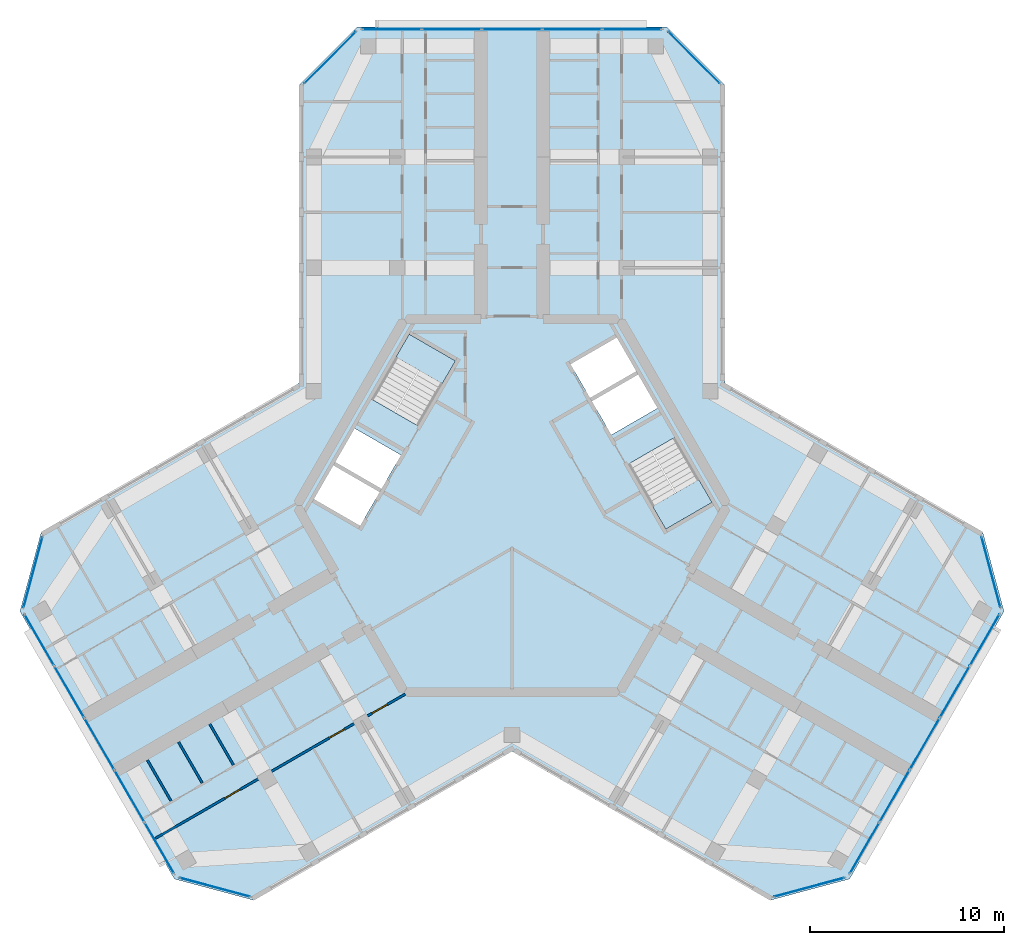
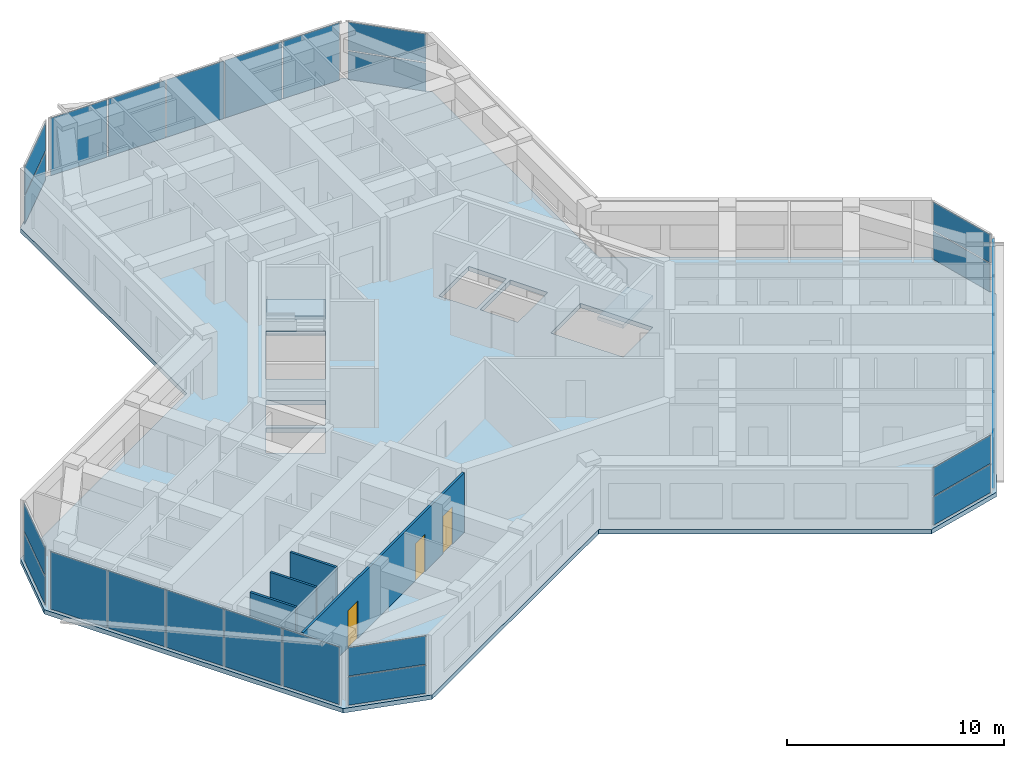
# One storey, part 6 of 14: 27 plates, 4 walls, 3 doors, 3 slabs, 3 openings, 11 elements without a shape of their own.
"""IFC4 building model written with IfcOpenShell, lengths in metres."""

from ifc_helpers import new_model, si_unit, direction, frame, frame_2d, origin, origin_2d, place, context, subcontext, project, spatial, polyline, rectangle, outline, extrude, material, layer, layer_set, type_object, element, fill, aggregate, save


model = new_model("IFC4")

# Units and contexts
model_context = context("Model", 3, precision=1e-05, world=origin(), true_north=direction((0.0, 1.0)))
body_context = subcontext(model_context, "Body", "Model", "MODEL_VIEW")
ifc_project = project(units=[si_unit("LENGTHUNIT", "METRE"), si_unit("AREAUNIT", "SQUARE_METRE"), si_unit("VOLUMEUNIT", "CUBIC_METRE"), si_unit("PLANEANGLEUNIT", "RADIAN"), si_unit("MASSUNIT", "GRAM", prefix="KILO")], contexts=[model_context])

# Site, building, storey
site_placement = place(None, origin())
site = spatial("IfcSite", under=ifc_project, at=site_placement, CompositionType="ELEMENT")
building_placement = place(site_placement, origin())
building = spatial("IfcBuilding", under=site, at=building_placement, Name="Kosmar Iwan School Tower", CompositionType="ELEMENT")
storey_placement = place(building_placement, frame((0.0, 0.0, 285.39990234375)))
storey = spatial("IfcBuildingStorey", under=building, at=storey_placement, Name="L72", CompositionType="ELEMENT", Elevation=285.39990234375)

# Curtain wall, plates
ifc_material_1 = material(Name="Dark glass in black aluminium frame", Category="aluminium")
curtain_wall_type_1 = type_object("IfcCurtainWallType", Name="Chamfer curtain wall dark glass", PredefinedType="USERDEFINED", material=ifc_material_1)
curtain_wall_1_placement = place(storey_placement, origin())
curtain_wall_1 = element("IfcCurtainWall", 1, at=curtain_wall_1_placement, inside=storey, type_object=curtain_wall_type_1, Name="Curtain wall L72-F02", ObjectType="FACETED CURTAIN WALL", PredefinedType="USERDEFINED")
ifc_material_2 = material(Name="Dark glass", Category="glass")
ifc_layer_1 = layer(ifc_material_2, 0.028076171875)
ifc_layer_set_1 = layer_set([ifc_layer_1], Name="Dark glass panel 28")
plate_type = type_object("IfcPlateType", Name="Dark glass panel 28", PredefinedType="CURTAIN_PANEL", material=ifc_layer_set_1)
plate_1_placement = place(storey_placement, frame((15.291015625, -19.63818359375, 0.06005859375), z_axis=(0.0, 0.0, 1.0), x_axis=(0.965925875495, 0.258818861462, 0.0)))
plate_1 = element("IfcPlate", 2, at=plate_1_placement, type_object=plate_type, Name="CW2 panel 1.1", PredefinedType="CURTAIN_PANEL", context=body_context, shape_type="SweptSolid", body=[
    extrude(rectangle(XDim=3.718994140625, YDim=0.028076171875, at=origin_2d()), origin(), (0.0, 0.0, 1.0), 1.5849609375),
])
plate_2_placement = place(storey_placement, frame((15.291015625, -19.63818359375, 1.705078125), z_axis=(0.0, 0.0, 1.0), x_axis=(0.965925875495, 0.258818861462, 0.0)))
plate_2 = element("IfcPlate", 3, at=plate_2_placement, type_object=plate_type, Name="CW2 panel 1.2", PredefinedType="CURTAIN_PANEL", context=body_context, shape_type="SweptSolid", body=[
    extrude(rectangle(XDim=3.718994140625, YDim=0.028076171875, at=origin_2d()), origin(), (0.0, 0.0, 1.0), 1.5849609375),
])
aggregate(curtain_wall_1, [plate_1, plate_2])

ifc_material_3 = material(Name="Dark glass in black aluminium frame", Category="aluminium")
curtain_wall_type_2 = type_object("IfcCurtainWallType", Name="Tower curtain wall dark glass", PredefinedType="USERDEFINED", material=ifc_material_3)
curtain_wall_2_placement = place(storey_placement, origin())
curtain_wall_2 = element("IfcCurtainWall", 4, at=curtain_wall_2_placement, inside=storey, type_object=curtain_wall_type_2, Name="Curtain wall L72-F03", ObjectType="UNITISED CURTAIN WALL", PredefinedType="USERDEFINED")
plate_3_placement = place(storey_placement, frame((18.1474609375, -17.61767578125, 0.06005859375), z_axis=(0.0, 0.0, 1.0), x_axis=(0.499999997325, 0.866025405329, 0.0)))
plate_3 = element("IfcPlate", 5, at=plate_3_placement, type_object=plate_type, Name="CW1 panel 1.1", PredefinedType="CURTAIN_PANEL", context=body_context, shape_type="SweptSolid", body=[
    extrude(rectangle(XDim=3.00927734375, YDim=0.028076171875, at=origin_2d()), origin(), (0.0, 0.0, 1.0), 3.22998046875),
])
plate_4_placement = place(storey_placement, frame((19.689697265625, -14.946533203125, 0.06005859375), z_axis=(0.0, 0.0, 1.0), x_axis=(0.499999997325, 0.866025405329, 0.0)))
plate_4 = element("IfcPlate", 6, at=plate_4_placement, type_object=plate_type, Name="CW1 panel 2.1", PredefinedType="CURTAIN_PANEL", context=body_context, shape_type="SweptSolid", body=[
    extrude(rectangle(XDim=3.039306640625, YDim=0.028076171875, at=origin_2d()), origin(), (0.0, 0.0, 1.0), 3.22998046875),
])
plate_5_placement = place(storey_placement, frame((21.2392578125, -12.262451171875, 0.06005859375), z_axis=(0.0, 0.0, 1.0), x_axis=(0.499999997325, 0.866025405329, 0.0)))
plate_5 = element("IfcPlate", 7, at=plate_5_placement, type_object=plate_type, Name="CW1 panel 3.1", PredefinedType="CURTAIN_PANEL", context=body_context, shape_type="SweptSolid", body=[
    extrude(rectangle(XDim=3.039306640625, YDim=0.028076171875, at=origin_2d()), origin(), (0.0, 0.0, 1.0), 3.22998046875),
])
plate_6_placement = place(storey_placement, frame((22.788818359375, -9.578369140625, 0.06005859375), z_axis=(0.0, 0.0, 1.0), x_axis=(0.499999997325, 0.866025405329, 0.0)))
plate_6 = element("IfcPlate", 8, at=plate_6_placement, type_object=plate_type, Name="CW1 panel 4.1", PredefinedType="CURTAIN_PANEL", context=body_context, shape_type="SweptSolid", body=[
    extrude(rectangle(XDim=3.039306640625, YDim=0.028076171875, at=origin_2d()), origin(), (0.0, 0.0, 1.0), 3.22998046875),
])
plate_7_placement = place(storey_placement, frame((24.3310546875, -6.907470703125, 0.06005859375), z_axis=(0.0, 0.0, 1.0), x_axis=(0.499999997325, 0.866025405329, 0.0)))
plate_7 = element("IfcPlate", 9, at=plate_7_placement, type_object=plate_type, Name="CW1 panel 5.1", PredefinedType="CURTAIN_PANEL", context=body_context, shape_type="SweptSolid", body=[
    extrude(rectangle(XDim=3.00927734375, YDim=0.028076171875, at=origin_2d()), origin(), (0.0, 0.0, 1.0), 3.22998046875),
])
aggregate(curtain_wall_2, [plate_3, plate_4, plate_5, plate_6, plate_7])

curtain_wall_3_placement = place(storey_placement, origin())
curtain_wall_3 = element("IfcCurtainWall", 10, at=curtain_wall_3_placement, inside=storey, type_object=curtain_wall_type_1, Name="Curtain wall L72-F04", ObjectType="FACETED CURTAIN WALL", PredefinedType="USERDEFINED")
plate_8_placement = place(storey_placement, frame((24.65283203125, -3.42333984375, 0.06005859375), z_axis=(0.0, 0.0, 1.0), x_axis=(-0.258818861462, 0.965925875495, 0.0)))
plate_8 = element("IfcPlate", 11, at=plate_8_placement, type_object=plate_type, Name="CW2 panel 1.1", PredefinedType="CURTAIN_PANEL", context=body_context, shape_type="SweptSolid", body=[
    extrude(rectangle(XDim=3.718994140625, YDim=0.028076171875, at=origin_2d()), origin(), (0.0, 0.0, 1.0), 1.5849609375),
])
plate_9_placement = place(storey_placement, frame((24.65283203125, -3.42333984375, 1.705078125), z_axis=(0.0, 0.0, 1.0), x_axis=(-0.258818861462, 0.965925875495, 0.0)))
plate_9 = element("IfcPlate", 12, at=plate_9_placement, type_object=plate_type, Name="CW2 panel 1.2", PredefinedType="CURTAIN_PANEL", context=body_context, shape_type="SweptSolid", body=[
    extrude(rectangle(XDim=3.718994140625, YDim=0.028076171875, at=origin_2d()), origin(), (0.0, 0.0, 1.0), 1.5849609375),
])
aggregate(curtain_wall_3, [plate_8, plate_9])

curtain_wall_4_placement = place(storey_placement, origin())
curtain_wall_4 = element("IfcCurtainWall", 13, at=curtain_wall_4_placement, inside=storey, type_object=curtain_wall_type_1, Name="Curtain wall L72-F07", ObjectType="FACETED CURTAIN WALL", PredefinedType="USERDEFINED")
plate_10_placement = place(storey_placement, frame((9.361572265625, 23.0615234375, 0.06005859375), z_axis=(0.0, 0.0, 1.0), x_axis=(-0.707106781187, 0.707106781187, 0.0)))
plate_10 = element("IfcPlate", 14, at=plate_10_placement, type_object=plate_type, Name="CW2 panel 1.1", PredefinedType="CURTAIN_PANEL", context=body_context, shape_type="SweptSolid", body=[
    extrude(rectangle(XDim=3.718994140625, YDim=0.028076171875, at=origin_2d()), origin(), (0.0, 0.0, 1.0), 1.5849609375),
])
plate_11_placement = place(storey_placement, frame((9.361572265625, 23.0615234375, 1.705078125), z_axis=(0.0, 0.0, 1.0), x_axis=(-0.707106781187, 0.707106781187, 0.0)))
plate_11 = element("IfcPlate", 15, at=plate_11_placement, type_object=plate_type, Name="CW2 panel 1.2", PredefinedType="CURTAIN_PANEL", context=body_context, shape_type="SweptSolid", body=[
    extrude(rectangle(XDim=3.718994140625, YDim=0.028076171875, at=origin_2d()), origin(), (0.0, 0.0, 1.0), 1.5849609375),
])
aggregate(curtain_wall_4, [plate_10, plate_11])

curtain_wall_5_placement = place(storey_placement, origin())
curtain_wall_5 = element("IfcCurtainWall", 16, at=curtain_wall_5_placement, inside=storey, type_object=curtain_wall_type_2, Name="Curtain wall L72-F08", ObjectType="UNITISED CURTAIN WALL", PredefinedType="USERDEFINED")
plate_12_placement = place(storey_placement, frame((6.18359375, 24.52490234375, 0.06005859375), z_axis=(0.0, 0.0, 1.0), x_axis=(-1.0, 0.0, 0.0)))
plate_12 = element("IfcPlate", 17, at=plate_12_placement, type_object=plate_type, Name="CW1 panel 1.1", PredefinedType="CURTAIN_PANEL", context=body_context, shape_type="SweptSolid", body=[
    extrude(rectangle(XDim=3.00927734375, YDim=0.028076171875, at=origin_2d()), origin(), (0.0, 0.0, 1.0), 3.22998046875),
])
plate_13_placement = place(storey_placement, frame((3.099365234375, 24.52490234375, 0.06005859375), z_axis=(0.0, 0.0, 1.0), x_axis=(-1.0, 0.0, 0.0)))
plate_13 = element("IfcPlate", 18, at=plate_13_placement, type_object=plate_type, Name="CW1 panel 2.1", PredefinedType="CURTAIN_PANEL", context=body_context, shape_type="SweptSolid", body=[
    extrude(rectangle(XDim=3.039306640625, YDim=0.028076171875, at=origin_2d()), origin(), (0.0, 0.0, 1.0), 3.22998046875),
])
plate_14_placement = place(storey_placement, frame((0.0, 24.52490234375, 0.06005859375), z_axis=(0.0, 0.0, 1.0), x_axis=(-1.0, 0.0, 0.0)))
plate_14 = element("IfcPlate", 19, at=plate_14_placement, type_object=plate_type, Name="CW1 panel 3.1", PredefinedType="CURTAIN_PANEL", context=body_context, shape_type="SweptSolid", body=[
    extrude(rectangle(XDim=3.039306640625, YDim=0.028076171875, at=origin_2d()), origin(), (0.0, 0.0, 1.0), 3.22998046875),
])
plate_15_placement = place(storey_placement, frame((-3.099365234375, 24.52490234375, 0.06005859375), z_axis=(0.0, 0.0, 1.0), x_axis=(-1.0, 0.0, 0.0)))
plate_15 = element("IfcPlate", 20, at=plate_15_placement, type_object=plate_type, Name="CW1 panel 4.1", PredefinedType="CURTAIN_PANEL", context=body_context, shape_type="SweptSolid", body=[
    extrude(rectangle(XDim=3.039306640625, YDim=0.028076171875, at=origin_2d()), origin(), (0.0, 0.0, 1.0), 3.22998046875),
])
plate_16_placement = place(storey_placement, frame((-6.18359375, 24.52490234375, 0.06005859375), z_axis=(0.0, 0.0, 1.0), x_axis=(-1.0, 0.0, 0.0)))
plate_16 = element("IfcPlate", 21, at=plate_16_placement, type_object=plate_type, Name="CW1 panel 5.1", PredefinedType="CURTAIN_PANEL", context=body_context, shape_type="SweptSolid", body=[
    extrude(rectangle(XDim=3.00927734375, YDim=0.028076171875, at=origin_2d()), origin(), (0.0, 0.0, 1.0), 3.22998046875),
])
aggregate(curtain_wall_5, [plate_12, plate_13, plate_14, plate_15, plate_16])

curtain_wall_6_placement = place(storey_placement, origin())
curtain_wall_6 = element("IfcCurtainWall", 22, at=curtain_wall_6_placement, inside=storey, type_object=curtain_wall_type_1, Name="Curtain wall L72-F09", ObjectType="FACETED CURTAIN WALL", PredefinedType="USERDEFINED")
plate_17_placement = place(storey_placement, frame((-9.361572265625, 23.0615234375, 0.06005859375), z_axis=(0.0, 0.0, 1.0), x_axis=(-0.707106781187, -0.707106781187, 0.0)))
plate_17 = element("IfcPlate", 23, at=plate_17_placement, type_object=plate_type, Name="CW2 panel 1.1", PredefinedType="CURTAIN_PANEL", context=body_context, shape_type="SweptSolid", body=[
    extrude(rectangle(XDim=3.718994140625, YDim=0.028076171875, at=origin_2d()), origin(), (0.0, 0.0, 1.0), 1.5849609375),
])
plate_18_placement = place(storey_placement, frame((-9.361572265625, 23.0615234375, 1.705078125), z_axis=(0.0, 0.0, 1.0), x_axis=(-0.707106781187, -0.707106781187, 0.0)))
plate_18 = element("IfcPlate", 24, at=plate_18_placement, type_object=plate_type, Name="CW2 panel 1.2", PredefinedType="CURTAIN_PANEL", context=body_context, shape_type="SweptSolid", body=[
    extrude(rectangle(XDim=3.718994140625, YDim=0.028076171875, at=origin_2d()), origin(), (0.0, 0.0, 1.0), 1.5849609375),
])
aggregate(curtain_wall_6, [plate_17, plate_18])

curtain_wall_7_placement = place(storey_placement, origin())
curtain_wall_7 = element("IfcCurtainWall", 25, at=curtain_wall_7_placement, inside=storey, type_object=curtain_wall_type_1, Name="Curtain wall L72-F12", ObjectType="FACETED CURTAIN WALL", PredefinedType="USERDEFINED")
plate_19_placement = place(storey_placement, frame((-24.65283203125, -3.42333984375, 0.06005859375), z_axis=(0.0, 0.0, 1.0), x_axis=(-0.258818861462, -0.965925875495, 0.0)))
plate_19 = element("IfcPlate", 26, at=plate_19_placement, type_object=plate_type, Name="CW2 panel 1.1", PredefinedType="CURTAIN_PANEL", context=body_context, shape_type="SweptSolid", body=[
    extrude(rectangle(XDim=3.718994140625, YDim=0.028076171875, at=origin_2d()), origin(), (0.0, 0.0, 1.0), 1.5849609375),
])
plate_20_placement = place(storey_placement, frame((-24.65283203125, -3.42333984375, 1.705078125), z_axis=(0.0, 0.0, 1.0), x_axis=(-0.258818861462, -0.965925875495, 0.0)))
plate_20 = element("IfcPlate", 27, at=plate_20_placement, type_object=plate_type, Name="CW2 panel 1.2", PredefinedType="CURTAIN_PANEL", context=body_context, shape_type="SweptSolid", body=[
    extrude(rectangle(XDim=3.718994140625, YDim=0.028076171875, at=origin_2d()), origin(), (0.0, 0.0, 1.0), 1.5849609375),
])
aggregate(curtain_wall_7, [plate_19, plate_20])

curtain_wall_8_placement = place(storey_placement, origin())
curtain_wall_8 = element("IfcCurtainWall", 28, at=curtain_wall_8_placement, inside=storey, type_object=curtain_wall_type_2, Name="Curtain wall L72-F13", ObjectType="UNITISED CURTAIN WALL", PredefinedType="USERDEFINED")
plate_21_placement = place(storey_placement, frame((-24.3310546875, -6.907470703125, 0.06005859375), z_axis=(0.0, 0.0, 1.0), x_axis=(0.499999997325, -0.866025405329, 0.0)))
plate_21 = element("IfcPlate", 29, at=plate_21_placement, type_object=plate_type, Name="CW1 panel 1.1", PredefinedType="CURTAIN_PANEL", context=body_context, shape_type="SweptSolid", body=[
    extrude(rectangle(XDim=3.00927734375, YDim=0.028076171875, at=origin_2d()), origin(), (0.0, 0.0, 1.0), 3.22998046875),
])
plate_22_placement = place(storey_placement, frame((-22.788818359375, -9.578369140625, 0.06005859375), z_axis=(0.0, 0.0, 1.0), x_axis=(0.499999997325, -0.866025405329, 0.0)))
plate_22 = element("IfcPlate", 30, at=plate_22_placement, type_object=plate_type, Name="CW1 panel 2.1", PredefinedType="CURTAIN_PANEL", context=body_context, shape_type="SweptSolid", body=[
    extrude(rectangle(XDim=3.039306640625, YDim=0.028076171875, at=origin_2d()), origin(), (0.0, 0.0, 1.0), 3.22998046875),
])
plate_23_placement = place(storey_placement, frame((-21.2392578125, -12.262451171875, 0.06005859375), z_axis=(0.0, 0.0, 1.0), x_axis=(0.499999997325, -0.866025405329, 0.0)))
plate_23 = element("IfcPlate", 31, at=plate_23_placement, type_object=plate_type, Name="CW1 panel 3.1", PredefinedType="CURTAIN_PANEL", context=body_context, shape_type="SweptSolid", body=[
    extrude(rectangle(XDim=3.039306640625, YDim=0.028076171875, at=origin_2d()), origin(), (0.0, 0.0, 1.0), 3.22998046875),
])
plate_24_placement = place(storey_placement, frame((-19.689697265625, -14.946533203125, 0.06005859375), z_axis=(0.0, 0.0, 1.0), x_axis=(0.499999997325, -0.866025405329, 0.0)))
plate_24 = element("IfcPlate", 32, at=plate_24_placement, type_object=plate_type, Name="CW1 panel 4.1", PredefinedType="CURTAIN_PANEL", context=body_context, shape_type="SweptSolid", body=[
    extrude(rectangle(XDim=3.039306640625, YDim=0.028076171875, at=origin_2d()), origin(), (0.0, 0.0, 1.0), 3.22998046875),
])
plate_25_placement = place(storey_placement, frame((-18.1474609375, -17.61767578125, 0.06005859375), z_axis=(0.0, 0.0, 1.0), x_axis=(0.499999997325, -0.866025405329, 0.0)))
plate_25 = element("IfcPlate", 33, at=plate_25_placement, type_object=plate_type, Name="CW1 panel 5.1", PredefinedType="CURTAIN_PANEL", context=body_context, shape_type="SweptSolid", body=[
    extrude(rectangle(XDim=3.00927734375, YDim=0.028076171875, at=origin_2d()), origin(), (0.0, 0.0, 1.0), 3.22998046875),
])
aggregate(curtain_wall_8, [plate_21, plate_22, plate_23, plate_24, plate_25])

curtain_wall_9_placement = place(storey_placement, origin())
curtain_wall_9 = element("IfcCurtainWall", 34, at=curtain_wall_9_placement, inside=storey, type_object=curtain_wall_type_1, Name="Curtain wall L72-F14", ObjectType="FACETED CURTAIN WALL", PredefinedType="USERDEFINED")
plate_26_placement = place(storey_placement, frame((-15.291015625, -19.63818359375, 0.06005859375), z_axis=(0.0, 0.0, 1.0), x_axis=(0.965925875495, -0.258818861462, 0.0)))
plate_26 = element("IfcPlate", 35, at=plate_26_placement, type_object=plate_type, Name="CW2 panel 1.1", PredefinedType="CURTAIN_PANEL", context=body_context, shape_type="SweptSolid", body=[
    extrude(rectangle(XDim=3.718994140625, YDim=0.028076171875, at=origin_2d()), origin(), (0.0, 0.0, 1.0), 1.5849609375),
])
plate_27_placement = place(storey_placement, frame((-15.291015625, -19.63818359375, 1.705078125), z_axis=(0.0, 0.0, 1.0), x_axis=(0.965925875495, -0.258818861462, 0.0)))
plate_27 = element("IfcPlate", 36, at=plate_27_placement, type_object=plate_type, Name="CW2 panel 1.2", PredefinedType="CURTAIN_PANEL", context=body_context, shape_type="SweptSolid", body=[
    extrude(rectangle(XDim=3.718994140625, YDim=0.028076171875, at=origin_2d()), origin(), (0.0, 0.0, 1.0), 1.5849609375),
])
aggregate(curtain_wall_9, [plate_26, plate_27])

# Slab
ifc_material_4 = material(Name="Concrete C35/45", Category="concrete")
ifc_layer_2 = layer(ifc_material_4, 0.25)
ifc_layer_set_2 = layer_set([ifc_layer_2], Name="Floor slab 250")
slab_type_1 = type_object("IfcSlabType", Name="Floor slab 250", PredefinedType="FLOOR", material=ifc_layer_set_2)
slab_1_placement = place(storey_placement, frame((0.0, 0.0, -0.25)))
element("IfcSlab", 37, at=slab_1_placement, inside=storey, type_object=slab_type_1, Name="L72 floor slab", PredefinedType="FLOOR", context=body_context, shape_type="SweptSolid", body=[
    extrude(outline(polyline([(-13.2744140625, -20.307861328125), (0.0, -12.64404296875), (13.2744140625, -20.307861328125), (17.37255859375, -19.2099609375), (25.322509765625, -5.440185546875), (24.224365234375, -1.342041015625), (10.949951171875, 6.322021484375), (10.949951171875, 21.64990234375), (7.949951171875, 24.64990234375), (-7.949951171875, 24.64990234375), (-10.949951171875, 21.64990234375), (-10.949951171875, 6.322021484375), (-24.224365234375, -1.342041015625), (-25.322509765625, -5.440185546875), (-17.37255859375, -19.2099609375), (-13.2744140625, -20.307861328125)]), holes=[polyline([(7.91259765625, -1.205078125), (10.294189453125, 0.169921875), (8.3642578125, 3.5126953125), (5.982666015625, 2.1376953125), (7.91259765625, -1.205078125)]), polyline([(-2.91259765625, 7.455078125), (-5.294189453125, 8.830078125), (-7.22412109375, 5.4873046875), (-4.8427734375, 4.1123046875), (-2.91259765625, 7.455078125)]), polyline([(-5.712646484375, 2.60546875), (-8.09423828125, 3.98046875), (-9.09423828125, 2.248291015625), (-6.712646484375, 0.873291015625), (-5.712646484375, 2.60546875)]), polyline([(-6.812744140625, 0.7001953125), (-9.1943359375, 2.0751953125), (-10.1943359375, 0.343017578125), (-7.812744140625, -1.031982421875), (-6.812744140625, 0.7001953125)]), polyline([(5.112548828125, 3.64453125), (7.494140625, 5.01953125), (6.494140625, 6.751708984375), (4.112548828125, 5.376708984375), (5.112548828125, 3.64453125)]), polyline([(4.0126953125, 5.5498046875), (6.394287109375, 6.9248046875), (5.394287109375, 8.656982421875), (3.0126953125, 7.281982421875), (4.0126953125, 5.5498046875)])]), origin(), (0.0, 0.0, 1.0), 0.25),
])

# Stair, slab
ifc_material_5 = material(Name="Concrete C35/45", Category="concrete")
stair_type = type_object("IfcStairType", Name="Core stair 2750", PredefinedType="HALF_TURN_STAIR", material=ifc_material_5)
stair_1_placement = place(storey_placement, origin())
stair_1 = element("IfcStair", 38, at=stair_1_placement, inside=storey, type_object=stair_type, Name="Stair ST2 L72", PredefinedType="HALF_TURN_STAIR")
ifc_material_6 = material(Name="Concrete C35/45", Category="concrete")
ifc_layer_3 = layer(ifc_material_6, 0.199951171875)
ifc_layer_set_3 = layer_set([ifc_layer_3], Name="Stair landing 200")
slab_type_2 = type_object("IfcSlabType", Name="Stair landing 200", PredefinedType="LANDING", material=ifc_layer_set_3)
slab_2_placement = place(storey_placement, frame((0.0, 0.0, 1.60009765625)))
slab_2 = element("IfcSlab", 39, at=slab_2_placement, type_object=slab_type_2, Name="ST2 landing 1", PredefinedType="LANDING", context=body_context, shape_type="SweptSolid", body=[
    extrude(outline(polyline([(-2.91259765625, 7.455078125), (-5.294189453125, 8.830078125), (-5.97412109375, 7.65234375), (-3.5927734375, 6.27734375), (-2.91259765625, 7.455078125)])), origin(), (0.0, 0.0, 1.0), 0.199951171875),
])
aggregate(stair_1, [slab_2])

stair_2_placement = place(storey_placement, origin())
stair_2 = element("IfcStair", 40, at=stair_2_placement, inside=storey, type_object=stair_type, Name="Stair ST1 L72", PredefinedType="HALF_TURN_STAIR")
slab_3_placement = place(storey_placement, frame((0.0, 0.0, 1.60009765625)))
slab_3 = element("IfcSlab", 41, at=slab_3_placement, type_object=slab_type_2, Name="ST1 landing 1", PredefinedType="LANDING", context=body_context, shape_type="SweptSolid", body=[
    extrude(outline(polyline([(7.91259765625, -1.205078125), (10.294189453125, 0.169921875), (9.6142578125, 1.34765625), (7.232666015625, -0.02734375), (7.91259765625, -1.205078125)])), origin(), (0.0, 0.0, 1.0), 0.199951171875),
])
aggregate(stair_2, [slab_3])

# Wall, openings, doors
ifc_material_7 = material(Name="Gypsum board on steel studs", Category="steel")
ifc_layer_4 = layer(ifc_material_7, 0.1201171875)
ifc_layer_set_4 = layer_set([ifc_layer_4], Name="Dwelling partition 120")
wall_type = type_object("IfcWallType", Name="Dwelling partition 120", PredefinedType="PARTITIONING", material=ifc_layer_set_4)
wall_1_placement = place(storey_placement, frame((-5.48876953125, -9.693115234375, 0.0), z_axis=(0.0, 0.0, 1.0), x_axis=(-0.866030301974, -0.499991515992, 0.0)))
wall_1 = element("IfcWall", 42, at=wall_1_placement, inside=storey, type_object=wall_type, Name="Partition L72-BL1-W2", PredefinedType="PARTITIONING", context=body_context, shape_type="SweptSolid", body=[
    extrude(rectangle(XDim=14.844970703125, YDim=0.1201171875, at=frame_2d((7.42236328125, 0.0))), origin(), (0.0, 0.0, 1.0), 3.35009765625),
])
opening_1_placement = place(wall_1_placement, frame((1.074951171875, 0.0, 0.0)))
opening_1 = element("IfcOpeningElement", 43, at=opening_1_placement, cuts=wall_1, Name="Opening D2", PredefinedType="OPENING", context=body_context, shape_type="SweptSolid", body=[
    extrude(rectangle(XDim=0.89990234375, YDim=2.10009765625, at=frame_2d((0.449951171875, 1.050048828125))), frame((0.0, 0.072021484375, 0.0), z_axis=(0.0, -1.0, 0.0), x_axis=(1.0, 0.0, 0.0)), (0.0, 0.0, 1.0), 0.14404296875),
])
opening_2_placement = place(wall_1_placement, frame((3.625, 0.0, 0.0)))
opening_2 = element("IfcOpeningElement", 44, at=opening_2_placement, cuts=wall_1, Name="Opening D2", PredefinedType="OPENING", context=body_context, shape_type="SweptSolid", body=[
    extrude(rectangle(XDim=0.89990234375, YDim=2.10009765625, at=frame_2d((0.449951171875, 1.050048828125))), frame((0.0, 0.072021484375, 0.0), z_axis=(0.0, -1.0, 0.0), x_axis=(1.0, 0.0, 0.0)), (0.0, 0.0, 1.0), 0.14404296875),
])
opening_3_placement = place(wall_1_placement, frame((9.824951171875, 0.0, 0.0)))
opening_3 = element("IfcOpeningElement", 45, at=opening_3_placement, cuts=wall_1, Name="Opening D2", PredefinedType="OPENING", context=body_context, shape_type="SweptSolid", body=[
    extrude(rectangle(XDim=0.89990234375, YDim=2.10009765625, at=frame_2d((0.449951171875, 1.050048828125))), frame((0.0, 0.072021484375, 0.0), z_axis=(0.0, -1.0, 0.0), x_axis=(1.0, 0.0, 0.0)), (0.0, 0.0, 1.0), 0.14404296875),
])
ifc_material_8 = material(Name="Timber door in timber frame", Category="wood")
door_type = type_object("IfcDoorType", Name="Internal door 900x2100", OperationType="SINGLE_SWING_LEFT", PredefinedType="DOOR", material=ifc_material_8)
door_1_placement = place(opening_1_placement, origin())
door_1 = element("IfcDoor", 46, at=door_1_placement, inside=storey, type_object=door_type, Name="Bedroom 1 door L72-BL1-F1", OperationType="SINGLE_SWING_RIGHT", OverallHeight=2.10009765625, OverallWidth=0.89990234375, PredefinedType="DOOR", context=body_context, shape_type="SweptSolid", body=[
    extrude(rectangle(XDim=0.89990234375, YDim=2.10009765625, at=frame_2d((0.449951171875, 1.050048828125))), frame((0.0, 0.02490234375, 0.0), z_axis=(0.0, -1.0, 0.0), x_axis=(1.0, 0.0, 0.0)), (0.0, 0.0, 1.0), 0.050048828125),
])
fill(opening_1, door_1)
door_2_placement = place(opening_2_placement, origin())
door_2 = element("IfcDoor", 47, at=door_2_placement, inside=storey, type_object=door_type, Name="Study door L72-BL1-F2", OperationType="SINGLE_SWING_LEFT", OverallHeight=2.10009765625, OverallWidth=0.89990234375, PredefinedType="DOOR", context=body_context, shape_type="SweptSolid", body=[
    extrude(rectangle(XDim=0.89990234375, YDim=2.10009765625, at=frame_2d((0.449951171875, 1.050048828125))), frame((0.0, 0.02490234375, 0.0), z_axis=(0.0, -1.0, 0.0), x_axis=(1.0, 0.0, 0.0)), (0.0, 0.0, 1.0), 0.050048828125),
])
fill(opening_2, door_2)
door_3_placement = place(opening_3_placement, origin())
door_3 = element("IfcDoor", 48, at=door_3_placement, inside=storey, type_object=door_type, Name="Living room and kitchen door L72-BL1-F3", OperationType="SINGLE_SWING_RIGHT", OverallHeight=2.10009765625, OverallWidth=0.89990234375, PredefinedType="DOOR", context=body_context, shape_type="SweptSolid", body=[
    extrude(rectangle(XDim=0.89990234375, YDim=2.10009765625, at=frame_2d((0.449951171875, 1.050048828125))), frame((0.0, 0.02490234375, 0.0), z_axis=(0.0, -1.0, 0.0), x_axis=(1.0, 0.0, 0.0)), (0.0, 0.0, 1.0), 0.050048828125),
])
fill(opening_3, door_3)

# Walls
wall_2_placement = place(storey_placement, frame((-15.55615234375, -11.23291015625, 0.0), z_axis=(0.0, 0.0, 1.0), x_axis=(0.499959183527, -0.866048967903, 0.0)))
element("IfcWall", 49, at=wall_2_placement, inside=storey, type_object=wall_type, Name="Partition L72-BL1-Y4", PredefinedType="PARTITIONING", context=body_context, shape_type="SweptSolid", body=[
    extrude(rectangle(XDim=2.440185546875, YDim=0.1201171875, at=frame_2d((1.22021484375, 0.0))), origin(), (0.0, 0.0, 1.0), 3.35009765625),
])
for number, where, z_axis, x_axis, name in (
    (50, (-17.16162109375, -12.159912109375, 0.0), (0.0, 0.0, 1.0), (0.500002508028, -0.866023955769, 0.0), "Partition L72-BL1-Y5"),
    (51, (-18.76708984375, -13.0869140625, 0.0), (0.0, 0.0, 1.0), (0.500002508028, -0.866023955769, 0.0), "Partition L72-BL1-Y6"),
):
    element("IfcWall", number, at=place(storey_placement, frame(where, z_axis=z_axis, x_axis=x_axis)), inside=storey, type_object=wall_type, Name=name, PredefinedType="PARTITIONING", context=body_context, shape_type="SweptSolid", body=[
        extrude(rectangle(XDim=2.43994140625, YDim=0.1201171875, at=frame_2d((1.219970703125, 0.0))), origin(), (0.0, 0.0, 1.0), 3.35009765625),
    ])

save(model, "model.ifc")
